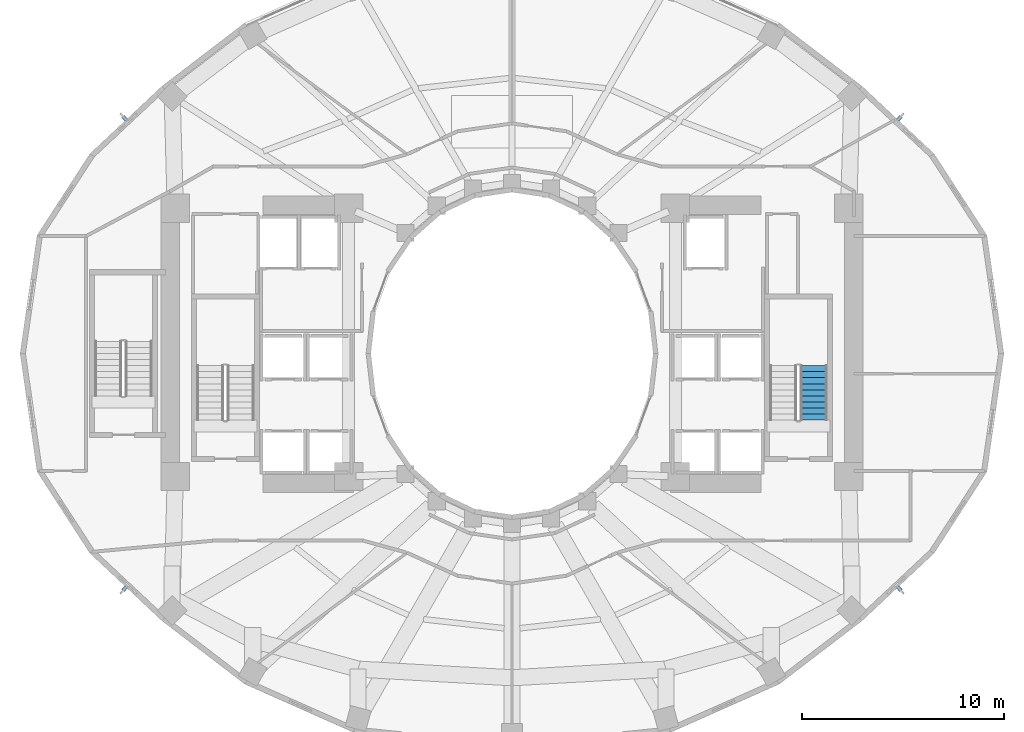
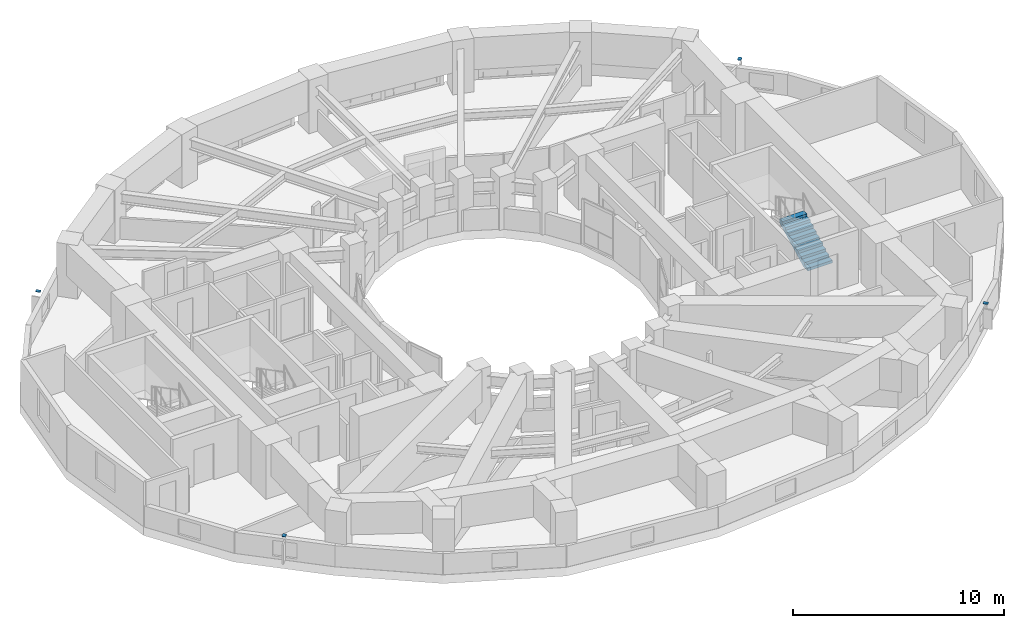
# One storey, part 16 of 19: 4 discrete accessories, 1 stair flight, 1 element without a shape of its own.
"""IFC4 building model written with IfcOpenShell, lengths in metres."""

from ifc_helpers import new_model, si_unit, direction, frame, origin, origin_2d, place, context, subcontext, project, spatial, polyline, rectangle, outline, extrude, material, layer, layer_set, type_object, element, aggregate, save


model = new_model("IFC4")

# Units and contexts
model_context = context("Model", 3, precision=1e-05, world=origin(), true_north=direction((0.0, 1.0)))
body_context = subcontext(model_context, "Body", "Model", "MODEL_VIEW")
ifc_project = project(units=[si_unit("LENGTHUNIT", "METRE"), si_unit("AREAUNIT", "SQUARE_METRE"), si_unit("VOLUMEUNIT", "CUBIC_METRE"), si_unit("PLANEANGLEUNIT", "RADIAN"), si_unit("MASSUNIT", "GRAM", prefix="KILO")], contexts=[model_context])

# Site, building, storey
site_placement = place(None, origin())
site = spatial("IfcSite", under=ifc_project, at=site_placement, CompositionType="ELEMENT")
building_placement = place(site_placement, origin())
building = spatial("IfcBuilding", under=site, at=building_placement, Name="Solvane Sanctuary Tower", CompositionType="ELEMENT")
storey_placement = place(building_placement, frame((0.0, 0.0, 73.199951171875)))
storey = spatial("IfcBuildingStorey", under=building, at=storey_placement, Name="L21", CompositionType="ELEMENT", Elevation=73.199951171875)

# Stair, stair flight
ifc_material_1 = material(Name="Concrete C45/55", Category="concrete")
stair_type = type_object("IfcStairType", Name="Stair ST-TOW", PredefinedType="HALF_TURN_STAIR", material=ifc_material_1)
stair_placement = place(storey_placement, origin())
stair = element("IfcStair", 1, at=stair_placement, inside=storey, type_object=stair_type, Name="L21 Exit Stair ST-2 East Core", PredefinedType="HALF_TURN_STAIR")
stair_flight_type = type_object("IfcStairFlightType", Name="StairFlight SF-TOW", PredefinedType="STRAIGHT", material=ifc_material_1)
stair_flight_placement = place(storey_placement, frame((46.965087890625, 19.699951171875, 0.0), z_axis=(0.0, 0.0, 1.0), x_axis=(0.0, 1.0, 0.0)))
stair_flight = element("IfcStairFlight", 2, at=stair_flight_placement, type_object=stair_flight_type, Name="ST-2 flight 1", NumberOfRisers=10, NumberOfTreads=9, PredefinedType="STRAIGHT", RiserHeight=0.155, TreadLength=0.3, context=body_context, shape_type="SweptSolid", body=[
    extrude(outline(polyline([(0.0, 0.0), (0.0, 0.155029296875), (0.300048828125, 0.155029296875), (0.300048828125, 0.31005859375), (0.60009765625, 0.31005859375), (0.60009765625, 0.465087890625), (0.89990234375, 0.465087890625), (0.89990234375, 0.6201171875), (1.199951171875, 0.6201171875), (1.199951171875, 0.77490234375), (1.5, 0.77490234375), (1.5, 0.929931640625), (1.800048828125, 0.929931640625), (1.800048828125, 1.0849609375), (2.10009765625, 1.0849609375), (2.10009765625, 1.239990234375), (2.39990234375, 1.239990234375), (2.39990234375, 1.39501953125), (2.699951171875, 1.39501953125), (2.699951171875, 1.550048828125), (2.699951171875, 1.1923828125), (0.39208984375, 0.0), (0.0, 0.0)])), frame((0.0, 0.675048828125, 0.0), z_axis=(0.0, -1.0, 0.0), x_axis=(1.0, 0.0, 0.0)), (0.0, 0.0, 1.0), 1.35009765625),
])
aggregate(stair, [stair_flight])

# Discrete accessories
ifc_material_2 = material(Name="Steel ASTM A500 Grade C", Category="steel")
ifc_layer = layer(ifc_material_2, 0.02490234375, Name="Steel ASTM A500 Grade C")
ifc_layer_set = layer_set([ifc_layer], Name="Steel ASTM A500 Grade C")
discrete_accessory_type = type_object("IfcDiscreteAccessoryType", Name="Accessory BRK-FACADE", PredefinedType="BRACKET", material=ifc_layer_set)
for number, where, z_axis, x_axis, name in (
    (3, (51.207275390625, 34.665283203125, 1.487548828125), (0.0, 0.0, 1.0), (-0.730175394401, 0.683259755445, 0.0), "L21 Solar Fin Bracket 02"),
    (4, (12.792724609375, 34.665283203125, 1.487548828125), (0.0, 0.0, 1.0), (-0.730175394401, -0.683259755445, 0.0), "L21 Solar Fin Bracket 09"),
    (5, (12.792724609375, 11.334716796875, 1.487548828125), (0.0, 0.0, 1.0), (0.730175394401, -0.683259755445, 0.0), "L21 Solar Fin Bracket 14"),
    (6, (51.207275390625, 11.334716796875, 1.487548828125), (0.0, 0.0, 1.0), (0.730175394401, 0.683259755445, 0.0), "L21 Solar Fin Bracket 21"),
):
    element("IfcDiscreteAccessory", number, at=place(storey_placement, frame(where, z_axis=z_axis, x_axis=x_axis)), inside=storey, type_object=discrete_accessory_type, Name=name, PredefinedType="BRACKET", context=body_context, shape_type="SweptSolid", body=[
        extrude(rectangle(XDim=0.179931640625, YDim=0.239990234375, at=origin_2d()), origin(), (0.0, 0.0, 1.0), 0.02490234375),
    ])

save(model, "model.ifc")
